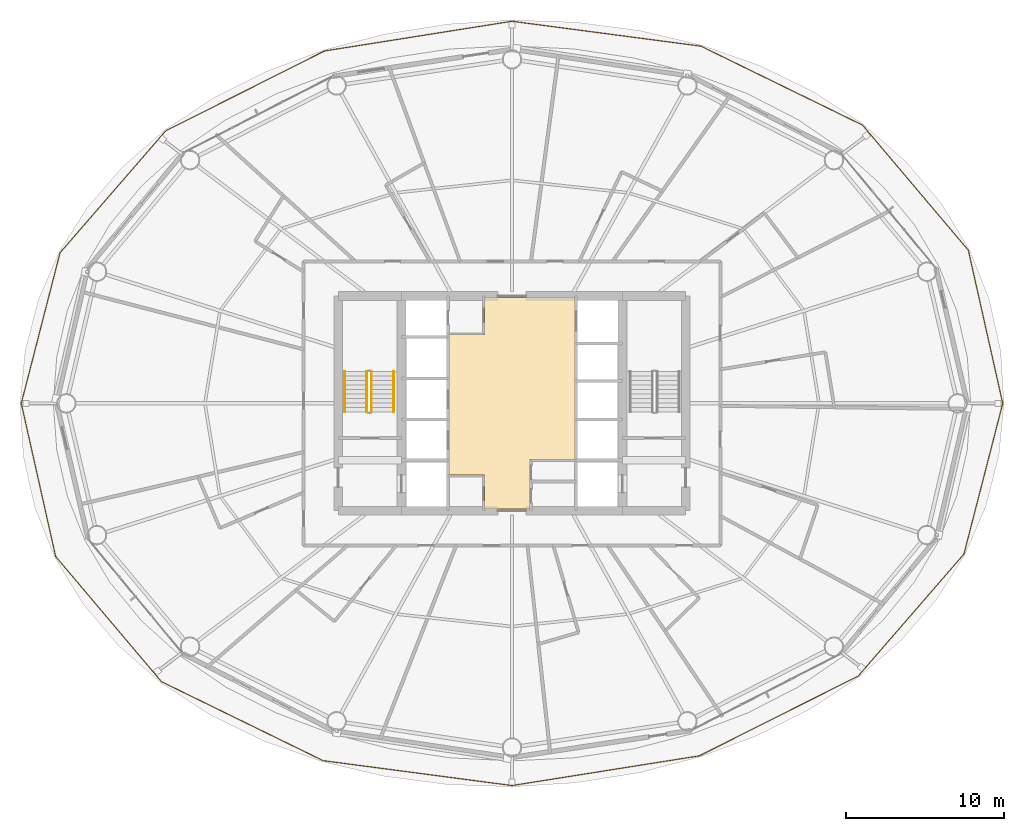
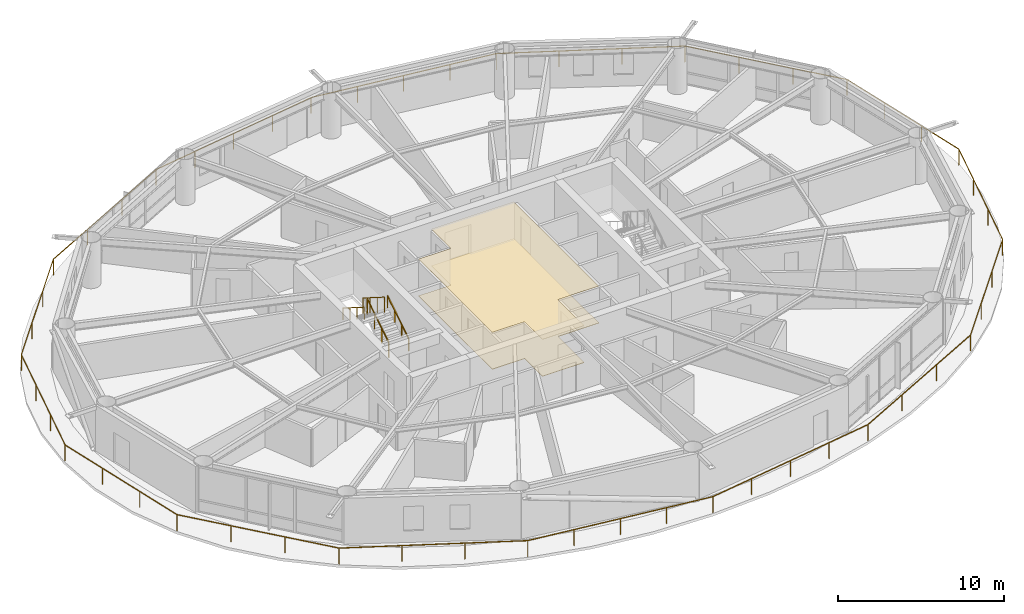
# One storey, part 23 of 24: 5 railings, 2 coverings.
"""IFC4 building model written with IfcOpenShell, lengths in metres."""

from ifc_helpers import new_model, si_unit, direction, frame, origin, origin_2d, place, context, subcontext, project, spatial, polyline, rectangle, outline, extrude, material, layer, layer_set, type_object, element, save


model = new_model("IFC4")

# Units and contexts
model_context = context("Model", 3, precision=1e-05, world=origin(), true_north=direction((0.0, 1.0)))
body_context = subcontext(model_context, "Body", "Model", "MODEL_VIEW")
ifc_project = project(units=[si_unit("LENGTHUNIT", "METRE"), si_unit("AREAUNIT", "SQUARE_METRE"), si_unit("VOLUMEUNIT", "CUBIC_METRE"), si_unit("PLANEANGLEUNIT", "RADIAN"), si_unit("MASSUNIT", "GRAM", prefix="KILO")], contexts=[model_context])

# Site, building, storey
site_placement = place(None, origin())
site = spatial("IfcSite", under=ifc_project, at=site_placement, CompositionType="ELEMENT")
building_placement = place(site_placement, origin())
building = spatial("IfcBuilding", under=site, at=building_placement, Name="Sarneth Arch Tower", CompositionType="ELEMENT")
storey_placement = place(building_placement, frame((0.0, 0.0, 109.199951171875)))
storey = spatial("IfcBuildingStorey", under=building, at=storey_placement, Name="L27", CompositionType="ELEMENT", Elevation=109.199951171875)

# Coverings
ifc_material_1 = material(Name="Perforated acoustic gypsum ceiling board")
ifc_layer_1 = layer(ifc_material_1, 0.02490234375)
ifc_layer_set_1 = layer_set([ifc_layer_1], Name="Perforated acoustic gypsum ceiling board")
covering_type_1 = type_object("IfcCoveringType", Name="COV-CEIL-GYP", PredefinedType="CEILING", material=ifc_layer_set_1)
covering_1_placement = place(storey_placement, frame((0.0, 0.0, 2.7099609375)))
element("IfcCovering", 1, at=covering_1_placement, inside=storey, type_object=covering_type_1, Name="L27 Lift lobby acoustic ceiling", PredefinedType="CEILING", context=body_context, shape_type="SweptSolid", body=[
    extrude(outline(polyline([(49.14990234375, 38.449951171875), (49.14990234375, 35.300048828125), (46.25, 35.300048828125), (46.25, 37.449951171875), (44.0, 37.449951171875), (44.0, 46.35009765625), (46.25, 46.35009765625), (46.25, 48.699951171875), (52.0, 48.699951171875), (52.0, 38.449951171875), (49.14990234375, 38.449951171875)])), origin(), (0.0, 0.0, 1.0), 0.030029296875),
])
ifc_material_2 = material(Name="Honed granite stone flooring", Category="masonry")
ifc_layer_2 = layer(ifc_material_2, 0.030029296875)
ifc_layer_set_2 = layer_set([ifc_layer_2], Name="Honed granite stone flooring")
covering_type_2 = type_object("IfcCoveringType", Name="COV-FLR-STONE", PredefinedType="FLOORING", material=ifc_layer_set_2)
covering_2_placement = place(storey_placement, origin())
element("IfcCovering", 2, at=covering_2_placement, inside=storey, type_object=covering_type_2, Name="L27 Lift lobby granite flooring", PredefinedType="FLOORING", context=body_context, shape_type="SweptSolid", body=[
    extrude(outline(polyline([(49.14990234375, 38.449951171875), (49.14990234375, 35.300048828125), (46.25, 35.300048828125), (46.25, 37.449951171875), (44.0, 37.449951171875), (44.0, 46.35009765625), (46.25, 46.35009765625), (46.25, 48.699951171875), (52.0, 48.699951171875), (52.0, 38.449951171875), (49.14990234375, 38.449951171875)])), origin(), (0.0, 0.0, 1.0), 0.030029296875),
])

# Railings
ifc_material_3 = material(Name="Laminated structural glass infill with Stainless Steel 316 top rail and posts", Category="steel")
railing_type_1 = type_object("IfcRailingType", Name="RAIL-BALC-1200", PredefinedType="BALUSTRADE", material=ifc_material_3)
railing_1_placement = place(storey_placement, frame((79.091552734375, 42.0, 0.0)))
element("IfcRailing", 3, at=railing_1_placement, inside=storey, type_object=railing_type_1, Name="L27 Helical balcony glass balustrade", PredefinedType="BALUSTRADE", context=body_context, shape_type="SweptSolid", body=[
    extrude(rectangle(XDim=0.048095703125, YDim=0.048095703125, at=origin_2d()), frame((0.0, 0.0, 1.17578125), z_axis=(-0.219246339092, 0.97566953565, 0.0), x_axis=(-0.97566953565, -0.219246339092, 0.0)), (0.0, 0.0, 1.0), 9.94287109375),
    extrude(rectangle(XDim=0.048095703125, YDim=0.048095703125, at=origin_2d()), frame((-2.179931640625, 9.700927734375, 1.17578125), z_axis=(-0.645518410966, 0.763744709379, 0.0), x_axis=(-0.763744709379, -0.645518410966, 0.0)), (0.0, 0.0, 1.0), 10.383056640625),
    extrude(rectangle(XDim=0.048095703125, YDim=0.048095703125, at=origin_2d()), frame((-8.88232421875, 17.630859375, 1.17578125), z_axis=(-0.898490288728, 0.438993395237, 0.0), x_axis=(-0.438993395237, -0.898490288728, 0.0)), (0.0, 0.0, 1.0), 11.395263671875),
    extrude(rectangle(XDim=0.048095703125, YDim=0.048095703125, at=origin_2d()), frame((-19.120849609375, 22.63330078125, 1.17578125), z_axis=(-0.991424400744, 0.130681512115, 0.0), x_axis=(-0.130681512115, -0.991424400744, 0.0)), (0.0, 0.0, 1.0), 12.07421875),
    extrude(rectangle(XDim=0.048095703125, YDim=0.048095703125, at=origin_2d()), frame((-31.091552734375, 24.211181640625, 1.17578125), z_axis=(-0.987666299099, -0.156573566176, 0.0), x_axis=(0.156573566176, -0.987666299099, 0.0)), (0.0, 0.0, 1.0), 12.0234375),
    extrude(rectangle(XDim=0.048095703125, YDim=0.048095703125, at=origin_2d()), frame((-42.966796875, 22.32861328125, 1.17578125), z_axis=(-0.893453936525, -0.449154832221, 0.0), x_axis=(0.449154832221, -0.893453936525, 0.0)), (0.0, 0.0, 1.0), 11.262451171875),
    extrude(rectangle(XDim=0.048095703125, YDim=0.048095703125, at=origin_2d()), frame((-53.029296875, 17.27001953125, 1.17578125), z_axis=(-0.654953269742, -0.75566938171, 0.0), x_axis=(0.75566938171, -0.654953269742, 0.0)), (0.0, 0.0, 1.0), 10.22216796875),
    extrude(rectangle(XDim=0.048095703125, YDim=0.048095703125, at=origin_2d()), frame((-59.724365234375, 9.54541015625, 1.17578125), z_axis=(-0.249441274589, -0.968389926905, 0.0), x_axis=(0.968389926905, -0.249441274589, 0.0)), (0.0, 0.0, 1.0), 9.85693359375),
    extrude(rectangle(XDim=0.048095703125, YDim=0.048095703125, at=origin_2d()), frame((-62.18310546875, 0.0, 1.17578125), z_axis=(0.219246339092, -0.97566953565, 0.0), x_axis=(0.97566953565, 0.219246339092, 0.0)), (0.0, 0.0, 1.0), 9.94287109375),
    extrude(rectangle(XDim=0.048095703125, YDim=0.048095703125, at=origin_2d()), frame((-60.003173828125, -9.700927734375, 1.17578125), z_axis=(0.645518410966, -0.763744709379, 0.0), x_axis=(0.763744709379, 0.645518410966, 0.0)), (0.0, 0.0, 1.0), 10.383056640625),
    extrude(rectangle(XDim=0.048095703125, YDim=0.048095703125, at=origin_2d()), frame((-53.30078125, -17.630859375, 1.17578125), z_axis=(0.898490288728, -0.438993395237, 0.0), x_axis=(0.438993395237, 0.898490288728, 0.0)), (0.0, 0.0, 1.0), 11.395263671875),
    extrude(rectangle(XDim=0.048095703125, YDim=0.048095703125, at=origin_2d()), frame((-43.062255859375, -22.63330078125, 1.17578125), z_axis=(0.991424400744, -0.130681512115, 0.0), x_axis=(0.130681512115, 0.991424400744, 0.0)), (0.0, 0.0, 1.0), 12.07421875),
    extrude(rectangle(XDim=0.048095703125, YDim=0.048095703125, at=origin_2d()), frame((-31.091552734375, -24.211181640625, 1.17578125), z_axis=(0.987666299099, 0.156573566176, 0.0), x_axis=(-0.156573566176, 0.987666299099, 0.0)), (0.0, 0.0, 1.0), 12.0234375),
    extrude(rectangle(XDim=0.048095703125, YDim=0.048095703125, at=origin_2d()), frame((-19.21630859375, -22.32861328125, 1.17578125), z_axis=(0.893453936525, 0.449154832221, 0.0), x_axis=(-0.449154832221, 0.893453936525, 0.0)), (0.0, 0.0, 1.0), 11.262451171875),
    extrude(rectangle(XDim=0.048095703125, YDim=0.048095703125, at=origin_2d()), frame((-9.15380859375, -17.27001953125, 1.17578125), z_axis=(0.654953269742, 0.75566938171, 0.0), x_axis=(-0.75566938171, 0.654953269742, 0.0)), (0.0, 0.0, 1.0), 10.22216796875),
    extrude(rectangle(XDim=0.048095703125, YDim=0.048095703125, at=origin_2d()), frame((-2.458740234375, -9.54541015625, 1.17578125), z_axis=(0.249441274589, 0.968389926905, 0.0), x_axis=(-0.968389926905, 0.249441274589, 0.0)), (0.0, 0.0, 1.0), 9.85693359375),
    extrude(rectangle(XDim=0.0419921875, YDim=0.0419921875, at=origin_2d()), origin(), (0.0, 0.0, 1.0), 1.15185546875),
    extrude(rectangle(XDim=0.0419921875, YDim=0.0419921875, at=origin_2d()), frame((-0.7265625, 3.233642578125, 0.0)), (0.0, 0.0, 1.0), 1.15185546875),
    extrude(rectangle(XDim=0.0419921875, YDim=0.0419921875, at=origin_2d()), frame((-1.453369140625, 6.46728515625, 0.0)), (0.0, 0.0, 1.0), 1.15185546875),
    extrude(rectangle(XDim=0.0419921875, YDim=0.0419921875, at=origin_2d()), frame((-2.179931640625, 9.700927734375, 0.0)), (0.0, 0.0, 1.0), 1.15185546875),
    extrude(rectangle(XDim=0.0419921875, YDim=0.0419921875, at=origin_2d()), frame((-4.4140625, 12.34423828125, 0.0)), (0.0, 0.0, 1.0), 1.15185546875),
    extrude(rectangle(XDim=0.0419921875, YDim=0.0419921875, at=origin_2d()), frame((-6.648193359375, 14.987548828125, 0.0)), (0.0, 0.0, 1.0), 1.15185546875),
    extrude(rectangle(XDim=0.0419921875, YDim=0.0419921875, at=origin_2d()), frame((-8.88232421875, 17.630859375, 0.0)), (0.0, 0.0, 1.0), 1.15185546875),
    extrude(rectangle(XDim=0.0419921875, YDim=0.0419921875, at=origin_2d()), frame((-12.295166015625, 19.29833984375, 0.0)), (0.0, 0.0, 1.0), 1.15185546875),
    extrude(rectangle(XDim=0.0419921875, YDim=0.0419921875, at=origin_2d()), frame((-15.7080078125, 20.9658203125, 0.0)), (0.0, 0.0, 1.0), 1.15185546875),
    extrude(rectangle(XDim=0.0419921875, YDim=0.0419921875, at=origin_2d()), frame((-19.120849609375, 22.63330078125, 0.0)), (0.0, 0.0, 1.0), 1.15185546875),
    extrude(rectangle(XDim=0.0419921875, YDim=0.0419921875, at=origin_2d()), frame((-22.113525390625, 23.02783203125, 0.0)), (0.0, 0.0, 1.0), 1.15185546875),
    extrude(rectangle(XDim=0.0419921875, YDim=0.0419921875, at=origin_2d()), frame((-25.106201171875, 23.42236328125, 0.0)), (0.0, 0.0, 1.0), 1.15185546875),
    extrude(rectangle(XDim=0.0419921875, YDim=0.0419921875, at=origin_2d()), frame((-28.098876953125, 23.816650390625, 0.0)), (0.0, 0.0, 1.0), 1.15185546875),
    extrude(rectangle(XDim=0.0419921875, YDim=0.0419921875, at=origin_2d()), frame((-31.091552734375, 24.211181640625, 0.0)), (0.0, 0.0, 1.0), 1.15185546875),
    extrude(rectangle(XDim=0.0419921875, YDim=0.0419921875, at=origin_2d()), frame((-34.060302734375, 23.740478515625, 0.0)), (0.0, 0.0, 1.0), 1.15185546875),
    extrude(rectangle(XDim=0.0419921875, YDim=0.0419921875, at=origin_2d()), frame((-37.029296875, 23.27001953125, 0.0)), (0.0, 0.0, 1.0), 1.15185546875),
    extrude(rectangle(XDim=0.0419921875, YDim=0.0419921875, at=origin_2d()), frame((-39.998046875, 22.79931640625, 0.0)), (0.0, 0.0, 1.0), 1.15185546875),
    extrude(rectangle(XDim=0.0419921875, YDim=0.0419921875, at=origin_2d()), frame((-42.966796875, 22.32861328125, 0.0)), (0.0, 0.0, 1.0), 1.15185546875),
    extrude(rectangle(XDim=0.0419921875, YDim=0.0419921875, at=origin_2d()), frame((-46.321044921875, 20.642333984375, 0.0)), (0.0, 0.0, 1.0), 1.15185546875),
    extrude(rectangle(XDim=0.0419921875, YDim=0.0419921875, at=origin_2d()), frame((-49.675048828125, 18.956298828125, 0.0)), (0.0, 0.0, 1.0), 1.15185546875),
    extrude(rectangle(XDim=0.0419921875, YDim=0.0419921875, at=origin_2d()), frame((-53.029296875, 17.27001953125, 0.0)), (0.0, 0.0, 1.0), 1.15185546875),
    extrude(rectangle(XDim=0.0419921875, YDim=0.0419921875, at=origin_2d()), frame((-55.260986328125, 14.695068359375, 0.0)), (0.0, 0.0, 1.0), 1.15185546875),
    extrude(rectangle(XDim=0.0419921875, YDim=0.0419921875, at=origin_2d()), frame((-57.49267578125, 12.120361328125, 0.0)), (0.0, 0.0, 1.0), 1.15185546875),
    extrude(rectangle(XDim=0.0419921875, YDim=0.0419921875, at=origin_2d()), frame((-59.724365234375, 9.54541015625, 0.0)), (0.0, 0.0, 1.0), 1.15185546875),
    extrude(rectangle(XDim=0.0419921875, YDim=0.0419921875, at=origin_2d()), frame((-60.5439453125, 6.363525390625, 0.0)), (0.0, 0.0, 1.0), 1.15185546875),
    extrude(rectangle(XDim=0.0419921875, YDim=0.0419921875, at=origin_2d()), frame((-61.363525390625, 3.181884765625, 0.0)), (0.0, 0.0, 1.0), 1.15185546875),
    extrude(rectangle(XDim=0.0419921875, YDim=0.0419921875, at=origin_2d()), frame((-62.18310546875, 0.0, 0.0)), (0.0, 0.0, 1.0), 1.15185546875),
    extrude(rectangle(XDim=0.0419921875, YDim=0.0419921875, at=origin_2d()), frame((-61.45654296875, -3.233642578125, 0.0)), (0.0, 0.0, 1.0), 1.15185546875),
    extrude(rectangle(XDim=0.0419921875, YDim=0.0419921875, at=origin_2d()), frame((-60.729736328125, -6.46728515625, 0.0)), (0.0, 0.0, 1.0), 1.15185546875),
    extrude(rectangle(XDim=0.0419921875, YDim=0.0419921875, at=origin_2d()), frame((-60.003173828125, -9.700927734375, 0.0)), (0.0, 0.0, 1.0), 1.15185546875),
    extrude(rectangle(XDim=0.0419921875, YDim=0.0419921875, at=origin_2d()), frame((-57.76904296875, -12.34423828125, 0.0)), (0.0, 0.0, 1.0), 1.15185546875),
    extrude(rectangle(XDim=0.0419921875, YDim=0.0419921875, at=origin_2d()), frame((-55.534912109375, -14.987548828125, 0.0)), (0.0, 0.0, 1.0), 1.15185546875),
    extrude(rectangle(XDim=0.0419921875, YDim=0.0419921875, at=origin_2d()), frame((-53.30078125, -17.630859375, 0.0)), (0.0, 0.0, 1.0), 1.15185546875),
    extrude(rectangle(XDim=0.0419921875, YDim=0.0419921875, at=origin_2d()), frame((-49.887939453125, -19.29833984375, 0.0)), (0.0, 0.0, 1.0), 1.15185546875),
    extrude(rectangle(XDim=0.0419921875, YDim=0.0419921875, at=origin_2d()), frame((-46.47509765625, -20.9658203125, 0.0)), (0.0, 0.0, 1.0), 1.15185546875),
    extrude(rectangle(XDim=0.0419921875, YDim=0.0419921875, at=origin_2d()), frame((-43.062255859375, -22.63330078125, 0.0)), (0.0, 0.0, 1.0), 1.15185546875),
    extrude(rectangle(XDim=0.0419921875, YDim=0.0419921875, at=origin_2d()), frame((-40.069580078125, -23.02783203125, 0.0)), (0.0, 0.0, 1.0), 1.15185546875),
    extrude(rectangle(XDim=0.0419921875, YDim=0.0419921875, at=origin_2d()), frame((-37.076904296875, -23.42236328125, 0.0)), (0.0, 0.0, 1.0), 1.15185546875),
    extrude(rectangle(XDim=0.0419921875, YDim=0.0419921875, at=origin_2d()), frame((-34.084228515625, -23.816650390625, 0.0)), (0.0, 0.0, 1.0), 1.15185546875),
    extrude(rectangle(XDim=0.0419921875, YDim=0.0419921875, at=origin_2d()), frame((-31.091552734375, -24.211181640625, 0.0)), (0.0, 0.0, 1.0), 1.15185546875),
    extrude(rectangle(XDim=0.0419921875, YDim=0.0419921875, at=origin_2d()), frame((-28.122802734375, -23.740478515625, 0.0)), (0.0, 0.0, 1.0), 1.15185546875),
    extrude(rectangle(XDim=0.0419921875, YDim=0.0419921875, at=origin_2d()), frame((-25.15380859375, -23.27001953125, 0.0)), (0.0, 0.0, 1.0), 1.15185546875),
    extrude(rectangle(XDim=0.0419921875, YDim=0.0419921875, at=origin_2d()), frame((-22.18505859375, -22.79931640625, 0.0)), (0.0, 0.0, 1.0), 1.15185546875),
    extrude(rectangle(XDim=0.0419921875, YDim=0.0419921875, at=origin_2d()), frame((-19.21630859375, -22.32861328125, 0.0)), (0.0, 0.0, 1.0), 1.15185546875),
    extrude(rectangle(XDim=0.0419921875, YDim=0.0419921875, at=origin_2d()), frame((-15.862060546875, -20.642333984375, 0.0)), (0.0, 0.0, 1.0), 1.15185546875),
    extrude(rectangle(XDim=0.0419921875, YDim=0.0419921875, at=origin_2d()), frame((-12.508056640625, -18.956298828125, 0.0)), (0.0, 0.0, 1.0), 1.15185546875),
    extrude(rectangle(XDim=0.0419921875, YDim=0.0419921875, at=origin_2d()), frame((-9.15380859375, -17.27001953125, 0.0)), (0.0, 0.0, 1.0), 1.15185546875),
    extrude(rectangle(XDim=0.0419921875, YDim=0.0419921875, at=origin_2d()), frame((-6.922119140625, -14.695068359375, 0.0)), (0.0, 0.0, 1.0), 1.15185546875),
    extrude(rectangle(XDim=0.0419921875, YDim=0.0419921875, at=origin_2d()), frame((-4.6904296875, -12.120361328125, 0.0)), (0.0, 0.0, 1.0), 1.15185546875),
    extrude(rectangle(XDim=0.0419921875, YDim=0.0419921875, at=origin_2d()), frame((-2.458740234375, -9.54541015625, 0.0)), (0.0, 0.0, 1.0), 1.15185546875),
    extrude(rectangle(XDim=0.0419921875, YDim=0.0419921875, at=origin_2d()), frame((-1.63916015625, -6.363525390625, 0.0)), (0.0, 0.0, 1.0), 1.15185546875),
    extrude(rectangle(XDim=0.0419921875, YDim=0.0419921875, at=origin_2d()), frame((-0.819580078125, -3.181884765625, 0.0)), (0.0, 0.0, 1.0), 1.15185546875),
])
ifc_material_4 = material(Name="Brushed Stainless Steel 304 tubular handrail", Category="steel")
railing_type_2 = type_object("IfcRailingType", Name="RAIL-HANDRAIL-900", PredefinedType="HANDRAIL", material=ifc_material_4)
railing_2_placement = place(storey_placement, frame((40.5, 41.449951171875, 0.179931640625)))
element("IfcRailing", 4, at=railing_2_placement, inside=storey, type_object=railing_type_2, Name="L27 ST-1 stair handrail 1", PredefinedType="HANDRAIL", context=body_context, shape_type="SweptSolid", body=[
    extrude(rectangle(XDim=0.048095703125, YDim=0.048095703125, at=origin_2d()), frame((0.0, 0.0, 0.8759765625), z_axis=(0.0, 0.845465955043, 0.534029323973), x_axis=(-1.0, 0.0, 0.0)), (0.0, 0.0, 1.0), 3.03369140625),
    extrude(rectangle(XDim=0.0419921875, YDim=0.0419921875, at=origin_2d()), origin(), (0.0, 0.0, 1.0), 0.851806640625),
    extrude(rectangle(XDim=0.0419921875, YDim=0.0419921875, at=origin_2d()), frame((0.0, 0.85498046875, 0.5400390625)), (0.0, 0.0, 1.0), 0.851806640625),
    extrude(rectangle(XDim=0.0419921875, YDim=0.0419921875, at=origin_2d()), frame((0.0, 1.7099609375, 1.080078125)), (0.0, 0.0, 1.0), 0.851806640625),
    extrude(rectangle(XDim=0.0419921875, YDim=0.0419921875, at=origin_2d()), frame((0.0, 2.56494140625, 1.6201171875)), (0.0, 0.0, 1.0), 0.851806640625),
])
railing_3_placement = place(storey_placement, frame((37.39990234375, 44.014892578125, 1.97998046875)))
element("IfcRailing", 5, at=railing_3_placement, inside=storey, type_object=railing_type_2, Name="L27 ST-1 stair handrail 2", PredefinedType="HANDRAIL", context=body_context, shape_type="SweptSolid", body=[
    extrude(rectangle(XDim=0.048095703125, YDim=0.048095703125, at=origin_2d()), frame((0.0, 0.0, 0.8759765625), z_axis=(0.0, -0.845465955043, 0.534029323973), x_axis=(1.0, 0.0, 0.0)), (0.0, 0.0, 1.0), 3.03369140625),
    extrude(rectangle(XDim=0.0419921875, YDim=0.0419921875, at=origin_2d()), origin(), (0.0, 0.0, 1.0), 0.851806640625),
    extrude(rectangle(XDim=0.0419921875, YDim=0.0419921875, at=origin_2d()), frame((0.0, -0.85498046875, 0.5400390625)), (0.0, 0.0, 1.0), 0.851806640625),
    extrude(rectangle(XDim=0.0419921875, YDim=0.0419921875, at=origin_2d()), frame((0.0, -1.7099609375, 1.080078125)), (0.0, 0.0, 1.0), 0.851806640625),
    extrude(rectangle(XDim=0.0419921875, YDim=0.0419921875, at=origin_2d()), frame((0.0, -2.56494140625, 1.6201171875)), (0.0, 0.0, 1.0), 0.851806640625),
])
ifc_material_5 = material(Name="Painted Steel S275 stair well guard", Category="steel")
railing_type_3 = type_object("IfcRailingType", Name="RAIL-STAIR-GUARD", PredefinedType="GUARDRAIL", material=ifc_material_5)
railing_4_placement = place(storey_placement, frame((39.10009765625, 41.449951171875, 0.179931640625)))
element("IfcRailing", 6, at=railing_4_placement, inside=storey, type_object=railing_type_3, Name="L27 ST-1 stair guard 1", PredefinedType="GUARDRAIL", context=body_context, shape_type="SweptSolid", body=[
    extrude(rectangle(XDim=0.048095703125, YDim=0.048095703125, at=origin_2d()), frame((0.0, 0.0, 1.1259765625), z_axis=(0.0, 0.845465955043, 0.534029323973), x_axis=(-1.0, 0.0, 0.0)), (0.0, 0.0, 1.0), 3.03369140625),
    extrude(rectangle(XDim=0.0419921875, YDim=0.0419921875, at=origin_2d()), origin(), (0.0, 0.0, 1.0), 1.101806640625),
    extrude(rectangle(XDim=0.0419921875, YDim=0.0419921875, at=origin_2d()), frame((0.0, 0.85498046875, 0.5400390625)), (0.0, 0.0, 1.0), 1.101806640625),
    extrude(rectangle(XDim=0.0419921875, YDim=0.0419921875, at=origin_2d()), frame((0.0, 1.7099609375, 1.080078125)), (0.0, 0.0, 1.0), 1.101806640625),
    extrude(rectangle(XDim=0.0419921875, YDim=0.0419921875, at=origin_2d()), frame((0.0, 2.56494140625, 1.6201171875)), (0.0, 0.0, 1.0), 1.101806640625),
])
railing_5_placement = place(storey_placement, frame((38.800048828125, 44.014892578125, 1.97998046875)))
element("IfcRailing", 7, at=railing_5_placement, inside=storey, type_object=railing_type_3, Name="L27 ST-1 stair guard 3", PredefinedType="GUARDRAIL", context=body_context, shape_type="SweptSolid", body=[
    extrude(rectangle(XDim=0.048095703125, YDim=0.048095703125, at=origin_2d()), frame((0.0, 0.0, 1.1259765625), z_axis=(0.0, -0.845465955043, 0.534029323973), x_axis=(1.0, 0.0, 0.0)), (0.0, 0.0, 1.0), 3.03369140625),
    extrude(rectangle(XDim=0.0419921875, YDim=0.0419921875, at=origin_2d()), origin(), (0.0, 0.0, 1.0), 1.101806640625),
    extrude(rectangle(XDim=0.0419921875, YDim=0.0419921875, at=origin_2d()), frame((0.0, -0.85498046875, 0.5400390625)), (0.0, 0.0, 1.0), 1.101806640625),
    extrude(rectangle(XDim=0.0419921875, YDim=0.0419921875, at=origin_2d()), frame((0.0, -1.7099609375, 1.080078125)), (0.0, 0.0, 1.0), 1.101806640625),
    extrude(rectangle(XDim=0.0419921875, YDim=0.0419921875, at=origin_2d()), frame((0.0, -2.56494140625, 1.6201171875)), (0.0, 0.0, 1.0), 1.101806640625),
])

save(model, "model.ifc")
